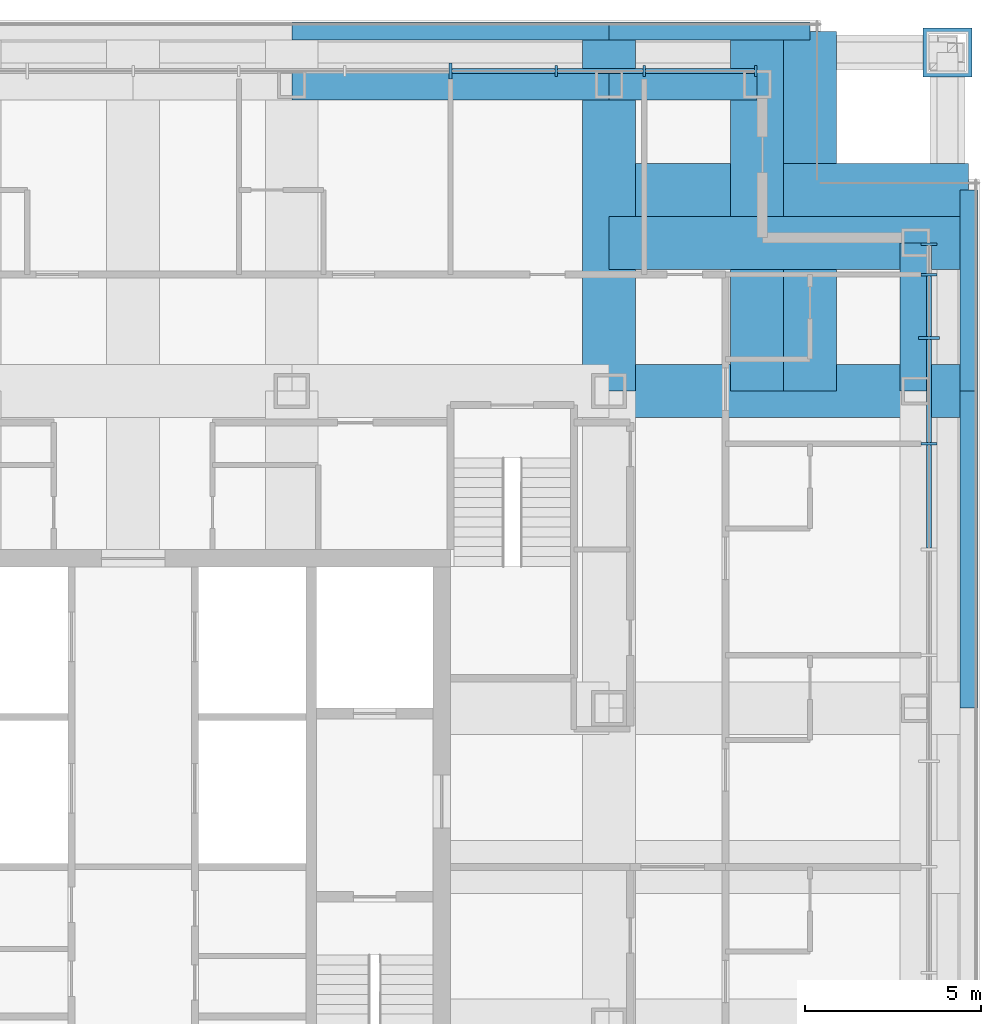
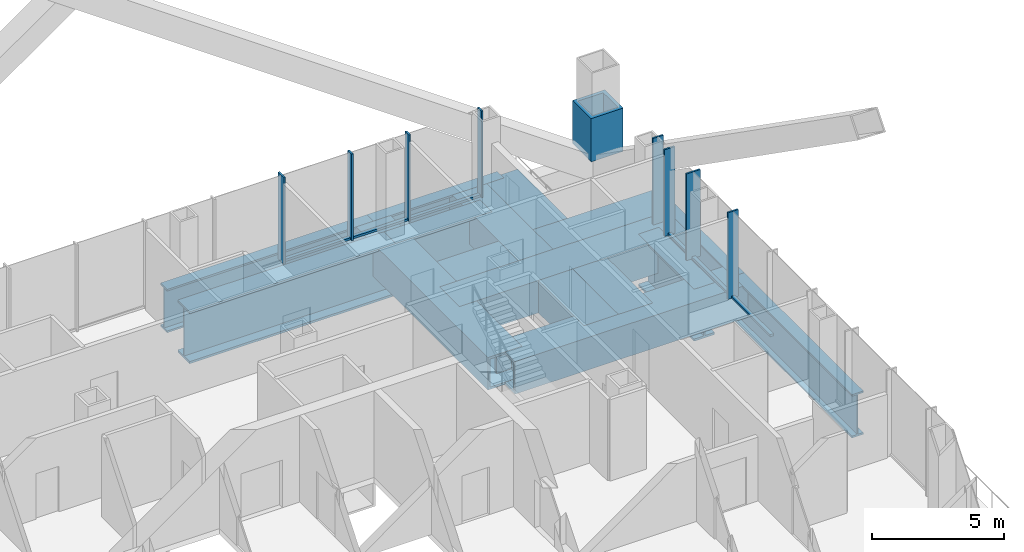
# One storey, part 9 of 18: 15 members, 13 beams, 2 elements without a shape of their own.
"""IFC4 building model written with IfcOpenShell, lengths in metres."""

from ifc_helpers import new_model, si_unit, direction, frame, origin, origin_2d, place, context, subcontext, project, spatial, rectangle, hollow_rectangle, i_section, extrude, material, layer, layer_set, material_profile, profile_set, type_object, element, aggregate, save


model = new_model("IFC4")

# Units and contexts
model_context = context("Model", 3, precision=1e-05, world=origin(), true_north=direction((0.0, 1.0)))
body_context = subcontext(model_context, "Body", "Model", "MODEL_VIEW")
ifc_project = project(units=[si_unit("LENGTHUNIT", "METRE"), si_unit("AREAUNIT", "SQUARE_METRE"), si_unit("VOLUMEUNIT", "CUBIC_METRE"), si_unit("PLANEANGLEUNIT", "RADIAN"), si_unit("MASSUNIT", "GRAM", prefix="KILO")], contexts=[model_context])

# Site, building, storey
site_placement = place(None, origin())
site = spatial("IfcSite", under=ifc_project, at=site_placement, CompositionType="ELEMENT")
building_placement = place(site_placement, origin())
building = spatial("IfcBuilding", under=site, at=building_placement, Name="Malebo Sky Hospital", CompositionType="ELEMENT")
storey_placement = place(building_placement, frame((0.0, 0.0, 177.0)))
storey = spatial("IfcBuildingStorey", under=building, at=storey_placement, Name="L42", CompositionType="ELEMENT", Elevation=177.0)

# Curtain wall, members
ifc_material_1 = material(Name="Anodised aluminium, natural silver", Category="aluminium")
ifc_layer_1 = layer(ifc_material_1, 0.25)
ifc_layer_set_1 = layer_set([ifc_layer_1], Name="WARD CURTAIN WALL NORTH AND SOUTH")
curtain_wall_type_1 = type_object("IfcCurtainWallType", Name="WARD CURTAIN WALL NORTH AND SOUTH", PredefinedType="NOTDEFINED", material=ifc_layer_set_1)
curtain_wall_1_placement = place(storey_placement, origin())
curtain_wall_1 = element("IfcCurtainWall", 1, at=curtain_wall_1_placement, inside=storey, type_object=curtain_wall_type_1, Name="NS curtain wall N", PredefinedType="NOTDEFINED")
ifc_material_profile_1 = material_profile(ifc_material_1, rectangle(XDim=0.14990234375, YDim=0.10009765625, at=origin_2d()), Name="ALUMINIUM TRANSOM 150x100")
ifc_profile_set_1 = profile_set([ifc_material_profile_1], Name="Anodised aluminium, natural silver")
member_type_1 = type_object("IfcMemberType", Name="ALUMINIUM TRANSOM 150x100", PredefinedType="USERDEFINED", material=ifc_profile_set_1)
member_1_placement = place(storey_placement, frame((69.03759765625, 84.574951171875, 0.050048828125), z_axis=(1.0, 0.0, 0.0), x_axis=(0.0, 1.0, 0.0)))
member_1 = element("IfcMember", 2, at=member_1_placement, type_object=member_type_1, Name="Transom 11", ObjectType="TRANSOM", PredefinedType="USERDEFINED", context=body_context, shape_type="SweptSolid", body=[
    extrude(rectangle(XDim=0.14990234375, YDim=0.10009765625, at=origin_2d()), origin(), (0.0, 0.0, 1.0), 2.9248046875),
])
member_2_placement = place(storey_placement, frame((72.03759765625, 84.574951171875, 0.050048828125), z_axis=(1.0, 0.0, 0.0), x_axis=(0.0, 1.0, 0.0)))
member_2 = element("IfcMember", 3, at=member_2_placement, type_object=member_type_1, Name="Transom 12", ObjectType="TRANSOM", PredefinedType="USERDEFINED", context=body_context, shape_type="SweptSolid", body=[
    extrude(rectangle(XDim=0.14990234375, YDim=0.10009765625, at=origin_2d()), origin(), (0.0, 0.0, 1.0), 2.4248046875),
])
member_3_placement = place(storey_placement, frame((74.53759765625, 84.574951171875, 0.050048828125), z_axis=(1.0, 0.0, 0.0), x_axis=(0.0, 1.0, 0.0)))
member_3 = element("IfcMember", 4, at=member_3_placement, type_object=member_type_1, Name="Transom 13", ObjectType="TRANSOM", PredefinedType="USERDEFINED", context=body_context, shape_type="SweptSolid", body=[
    extrude(rectangle(XDim=0.14990234375, YDim=0.10009765625, at=origin_2d()), origin(), (0.0, 0.0, 1.0), 3.08740234375),
])

ifc_layer_2 = layer(ifc_material_1, 0.25)
ifc_layer_set_2 = layer_set([ifc_layer_2], Name="WARD CURTAIN WALL EAST AND WEST")
curtain_wall_type_2 = type_object("IfcCurtainWallType", Name="WARD CURTAIN WALL EAST AND WEST", PredefinedType="NOTDEFINED", material=ifc_layer_set_2)
curtain_wall_2_placement = place(storey_placement, origin())
curtain_wall_2 = element("IfcCurtainWall", 5, at=curtain_wall_2_placement, inside=storey, type_object=curtain_wall_type_2, Name="EW curtain wall E", PredefinedType="NOTDEFINED")
member_4_placement = place(storey_placement, frame((82.574951171875, 78.762451171875, 0.050048828125), z_axis=(0.0, -1.0, 0.0), x_axis=(1.0, 0.0, 0.0)))
member_4 = element("IfcMember", 6, at=member_4_placement, type_object=member_type_1, Name="Transom 2", ObjectType="TRANSOM", PredefinedType="USERDEFINED", context=body_context, shape_type="SweptSolid", body=[
    extrude(rectangle(XDim=0.14990234375, YDim=0.10009765625, at=origin_2d()), origin(), (0.0, 0.0, 1.0), 1.724853515625),
])
member_5_placement = place(storey_placement, frame((82.574951171875, 76.96240234375, 0.050048828125), z_axis=(0.0, -1.0, 0.0), x_axis=(1.0, 0.0, 0.0)))
member_5 = element("IfcMember", 7, at=member_5_placement, type_object=member_type_1, Name="Transom 3", ObjectType="TRANSOM", PredefinedType="USERDEFINED", context=body_context, shape_type="SweptSolid", body=[
    extrude(rectangle(XDim=0.14990234375, YDim=0.10009765625, at=origin_2d()), origin(), (0.0, 0.0, 1.0), 2.9248046875),
])
member_6_placement = place(storey_placement, frame((82.574951171875, 73.96240234375, 0.050048828125), z_axis=(0.0, -1.0, 0.0), x_axis=(1.0, 0.0, 0.0)))
member_6 = element("IfcMember", 8, at=member_6_placement, type_object=member_type_1, Name="Transom 4", ObjectType="TRANSOM", PredefinedType="USERDEFINED", context=body_context, shape_type="SweptSolid", body=[
    extrude(rectangle(XDim=0.14990234375, YDim=0.10009765625, at=origin_2d()), origin(), (0.0, 0.0, 1.0), 2.9248046875),
])

# Member
ifc_material_profile_2 = material_profile(ifc_material_1, rectangle(XDim=0.074951171875, YDim=0.300048828125, at=origin_2d()), Name="CW1 ALUMINIUM FIN MULLION 75x300")
ifc_profile_set_2 = profile_set([ifc_material_profile_2], Name="Anodised aluminium, natural silver")
member_type_2 = type_object("IfcMemberType", Name="CW1 ALUMINIUM FIN MULLION 75x300", PredefinedType="MULLION", material=ifc_profile_set_2)
member_7_placement = place(storey_placement, frame((72.0, 84.574951171875, 0.0), z_axis=(0.0, 0.0, 1.0), x_axis=(1.0, 0.0, 0.0)))
member_7 = element("IfcMember", 9, at=member_7_placement, type_object=member_type_2, Name="Fin mullion 12", PredefinedType="MULLION", context=body_context, shape_type="SweptSolid", body=[
    extrude(rectangle(XDim=0.074951171875, YDim=0.300048828125, at=origin_2d()), origin(), (0.0, 0.0, 1.0), 4.0),
])

member_8_placement = place(storey_placement, frame((74.5, 84.574951171875, 0.0), z_axis=(0.0, 0.0, 1.0), x_axis=(1.0, 0.0, 0.0)))
member_8 = element("IfcMember", 10, at=member_8_placement, type_object=member_type_2, Name="Fin mullion 13", PredefinedType="MULLION", context=body_context, shape_type="SweptSolid", body=[
    extrude(rectangle(XDim=0.074951171875, YDim=0.300048828125, at=origin_2d()), origin(), (0.0, 0.0, 1.0), 4.0),
])

member_9_placement = place(storey_placement, frame((77.66259765625, 84.574951171875, 0.0), z_axis=(0.0, 0.0, 1.0), x_axis=(1.0, 0.0, 0.0)))
member_9 = element("IfcMember", 11, at=member_9_placement, type_object=member_type_2, Name="Fin mullion 14", PredefinedType="MULLION", context=body_context, shape_type="SweptSolid", body=[
    extrude(rectangle(XDim=0.074951171875, YDim=0.300048828125, at=origin_2d()), origin(), (0.0, 0.0, 1.0), 4.0),
])

ifc_material_profile_3 = material_profile(ifc_material_1, rectangle(XDim=0.074951171875, YDim=0.449951171875, at=origin_2d()), Name="CW1 ALUMINIUM FIN MULLION 75x450")
ifc_profile_set_3 = profile_set([ifc_material_profile_3], Name="Anodised aluminium, natural silver")
member_type_3 = type_object("IfcMemberType", Name="CW1 ALUMINIUM FIN MULLION 75x450", PredefinedType="MULLION", material=ifc_profile_set_3)
member_10_placement = place(storey_placement, frame((69.0, 84.574951171875, 0.0), z_axis=(0.0, 0.0, 1.0), x_axis=(1.0, 0.0, 0.0)))
member_10 = element("IfcMember", 12, at=member_10_placement, type_object=member_type_3, Name="Fin mullion 11", PredefinedType="MULLION", context=body_context, shape_type="SweptSolid", body=[
    extrude(rectangle(XDim=0.074951171875, YDim=0.449951171875, at=origin_2d()), origin(), (0.0, 0.0, 1.0), 4.0),
])

aggregate(curtain_wall_1, [member_10, member_7, member_8, member_9, member_1, member_2, member_3])

ifc_material_profile_4 = material_profile(ifc_material_1, rectangle(XDim=0.074951171875, YDim=0.449951171875, at=origin_2d()), Name="CW2 ALUMINIUM FIN MULLION 75x450")
ifc_profile_set_4 = profile_set([ifc_material_profile_4], Name="Anodised aluminium, natural silver")
member_type_4 = type_object("IfcMemberType", Name="CW2 ALUMINIUM FIN MULLION 75x450", PredefinedType="MULLION", material=ifc_profile_set_4)
member_11_placement = place(storey_placement, frame((82.574951171875, 79.66259765625, 0.0), z_axis=(0.0, 0.0, 1.0), x_axis=(0.0, -1.0, 0.0)))
member_11 = element("IfcMember", 13, at=member_11_placement, type_object=member_type_4, Name="Fin mullion 1", PredefinedType="MULLION", context=body_context, shape_type="SweptSolid", body=[
    extrude(rectangle(XDim=0.074951171875, YDim=0.449951171875, at=origin_2d()), origin(), (0.0, 0.0, 1.0), 4.0),
])

member_12_placement = place(storey_placement, frame((82.574951171875, 78.800048828125, 0.0), z_axis=(0.0, 0.0, 1.0), x_axis=(0.0, -1.0, 0.0)))
member_12 = element("IfcMember", 14, at=member_12_placement, type_object=member_type_4, Name="Fin mullion 2", PredefinedType="MULLION", context=body_context, shape_type="SweptSolid", body=[
    extrude(rectangle(XDim=0.074951171875, YDim=0.449951171875, at=origin_2d()), origin(), (0.0, 0.0, 1.0), 4.0),
])

member_13_placement = place(storey_placement, frame((82.574951171875, 74.0, 0.0), z_axis=(0.0, 0.0, 1.0), x_axis=(0.0, -1.0, 0.0)))
member_13 = element("IfcMember", 15, at=member_13_placement, type_object=member_type_4, Name="Fin mullion 4", PredefinedType="MULLION", context=body_context, shape_type="SweptSolid", body=[
    extrude(rectangle(XDim=0.074951171875, YDim=0.449951171875, at=origin_2d()), origin(), (0.0, 0.0, 1.0), 4.0),
])

ifc_material_profile_5 = material_profile(ifc_material_1, rectangle(XDim=0.074951171875, YDim=0.60009765625, at=origin_2d()), Name="CW2 ALUMINIUM FIN MULLION 75x600")
ifc_profile_set_5 = profile_set([ifc_material_profile_5], Name="Anodised aluminium, natural silver")
member_type_5 = type_object("IfcMemberType", Name="CW2 ALUMINIUM FIN MULLION 75x600", PredefinedType="MULLION", material=ifc_profile_set_5)
member_14_placement = place(storey_placement, frame((82.574951171875, 77.0, 0.0), z_axis=(0.0, 0.0, 1.0), x_axis=(0.0, -1.0, 0.0)))
member_14 = element("IfcMember", 16, at=member_14_placement, type_object=member_type_5, Name="Fin mullion 3", PredefinedType="MULLION", context=body_context, shape_type="SweptSolid", body=[
    extrude(rectangle(XDim=0.074951171875, YDim=0.60009765625, at=origin_2d()), origin(), (0.0, 0.0, 1.0), 4.0),
])

aggregate(curtain_wall_2, [member_11, member_12, member_14, member_13, member_4, member_5, member_6])

ifc_material_2 = material(Name="Steel S460", Category="steel")
ifc_material_profile_6 = material_profile(ifc_material_2, hollow_rectangle(XDim=1.39990234375, YDim=1.39990234375, WallThickness=0.14990234375, at=origin_2d()), Name="BOX 1400x1400x150")
ifc_profile_set_6 = profile_set([ifc_material_profile_6], Name="Steel S460")
member_type_6 = type_object("IfcMemberType", Name="MEGA COLUMN NODE BOX 1400x1400x150", PredefinedType="MEMBER", material=ifc_profile_set_6)
member_15_placement = place(storey_placement, frame((83.10009765625, 85.10009765625, 0.0), z_axis=(0.0, 0.0, 1.0), x_axis=(1.0, 0.0, 0.0)))
element("IfcMember", 17, at=member_15_placement, inside=storey, type_object=member_type_6, Name="Mega column node NE L42", PredefinedType="MEMBER", context=body_context, shape_type="SweptSolid", body=[
    extrude(hollow_rectangle(XDim=1.39990234375, YDim=1.39990234375, WallThickness=0.14990234375, at=origin_2d()), origin(), (0.0, 0.0, 1.0), 2.0),
])

# Beams
ifc_material_profile_7 = material_profile(ifc_material_2, hollow_rectangle(XDim=1.5, YDim=1.5, WallThickness=0.10009765625, at=origin_2d()), Name="BOX 1500x1500x100")
ifc_profile_set_7 = profile_set([ifc_material_profile_7], Name="Steel S460")
beam_type_1 = type_object("IfcBeamType", Name="TRANSFER GIRDER BOX 1500x1500x100", PredefinedType="BEAM", material=ifc_profile_set_7)
for number, where, z_axis, x_axis, name in (
    (18, (73.5, 75.5, -1.0), (0.0, 1.0, 0.0), (-1.0, 0.0, 0.0), "Beam 029 L42"),
    (19, (73.5, 75.5, -1.0), (1.0, 0.0, 0.0), (0.0, 1.0, 0.0), "Beam 069 L42"),
    (20, (77.699951171875, 75.5, -1.0), (0.0, 1.0, 0.0), (-1.0, 0.0, 0.0), "Beam 031 L42"),
    (21, (79.199951171875, 75.5, -1.0), (0.0, 1.0, 0.0), (-1.0, 0.0, 0.0), "Beam 033 L42"),
    (22, (73.5, 79.699951171875, -1.0), (1.0, 0.0, 0.0), (0.0, 1.0, 0.0), "Beam 071 L42"),
    (23, (73.5, 81.199951171875, -1.0), (1.0, 0.0, 0.0), (0.0, 1.0, 0.0), "Beam 073 L42"),
):
    element("IfcBeam", number, at=place(storey_placement, frame(where, z_axis=z_axis, x_axis=x_axis)), inside=storey, type_object=beam_type_1, Name=name, PredefinedType="BEAM", context=body_context, shape_type="SweptSolid", body=[
        extrude(hollow_rectangle(XDim=1.5, YDim=1.5, WallThickness=0.10009765625, at=origin_2d()), origin(), (0.0, 0.0, 1.0), 10.199951171875),
    ])
ifc_material_3 = material(Name="Steel S355", Category="steel")
ifc_material_profile_8 = material_profile(ifc_material_3, i_section(OverallWidth=0.5, OverallDepth=2.0, WebThickness=0.0400390625, FlangeThickness=0.080078125, at=origin_2d()), Name="PG 2000x500x40x80")
ifc_profile_set_8 = profile_set([ifc_material_profile_8], Name="Steel S355")
beam_type_2 = type_object("IfcBeamType", Name="TRANSFER GIRDER PG 2000x500x40x80", PredefinedType="BEAM", material=ifc_profile_set_8)
beam_1_placement = place(storey_placement, frame((83.699951171875, 66.5, -1.25), z_axis=(0.0, 1.0, 0.0), x_axis=(-1.0, 0.0, 0.0)))
element("IfcBeam", 24, at=beam_1_placement, inside=storey, type_object=beam_type_2, Name="Beam 038 L42", PredefinedType="BEAM", context=body_context, shape_type="SweptSolid", body=[
    extrude(i_section(OverallWidth=0.5, OverallDepth=2.0, WebThickness=0.0400390625, FlangeThickness=0.080078125, at=origin_2d()), origin(), (0.0, 0.0, 1.0), 9.0),
])
beam_2_placement = place(storey_placement, frame((83.699951171875, 75.5, -1.25), z_axis=(0.0, 1.0, 0.0), x_axis=(-1.0, 0.0, 0.0)))
element("IfcBeam", 25, at=beam_2_placement, inside=storey, type_object=beam_type_2, Name="Beam 039 L42", PredefinedType="BEAM", context=body_context, shape_type="SweptSolid", body=[
    extrude(i_section(OverallWidth=0.5, OverallDepth=2.0, WebThickness=0.0400390625, FlangeThickness=0.080078125, at=origin_2d()), origin(), (0.0, 0.0, 1.0), 5.699951171875),
])
beam_3_placement = place(storey_placement, frame((64.5, 85.699951171875, -1.25), z_axis=(1.0, 0.0, 0.0), x_axis=(0.0, 1.0, 0.0)))
element("IfcBeam", 26, at=beam_3_placement, inside=storey, type_object=beam_type_2, Name="Beam 078 L42", PredefinedType="BEAM", context=body_context, shape_type="SweptSolid", body=[
    extrude(i_section(OverallWidth=0.5, OverallDepth=2.0, WebThickness=0.0400390625, FlangeThickness=0.080078125, at=origin_2d()), origin(), (0.0, 0.0, 1.0), 9.0),
])
beam_4_placement = place(storey_placement, frame((73.5, 85.699951171875, -1.25), z_axis=(1.0, 0.0, 0.0), x_axis=(0.0, 1.0, 0.0)))
element("IfcBeam", 27, at=beam_4_placement, inside=storey, type_object=beam_type_2, Name="Beam 079 L42", PredefinedType="BEAM", context=body_context, shape_type="SweptSolid", body=[
    extrude(i_section(OverallWidth=0.5, OverallDepth=2.0, WebThickness=0.0400390625, FlangeThickness=0.080078125, at=origin_2d()), origin(), (0.0, 0.0, 1.0), 5.699951171875),
])
ifc_material_profile_9 = material_profile(ifc_material_3, i_section(OverallWidth=0.89990234375, OverallDepth=2.39990234375, WebThickness=0.050048828125, FlangeThickness=0.10009765625, at=origin_2d()), Name="PG 2400x900x50x100")
ifc_profile_set_9 = profile_set([ifc_material_profile_9], Name="Steel S355")
beam_type_3 = type_object("IfcBeamType", Name="TRANSFER GIRDER PG 2400x900x50x100", PredefinedType="BEAM", material=ifc_profile_set_9)
beam_5_placement = place(storey_placement, frame((82.199951171875, 75.5, -1.449951171875), z_axis=(0.0, 1.0, 0.0), x_axis=(-1.0, 0.0, 0.0)))
element("IfcBeam", 28, at=beam_5_placement, inside=storey, type_object=beam_type_3, Name="Beam 034f L42", PredefinedType="BEAM", context=body_context, shape_type="SweptSolid", body=[
    extrude(i_section(OverallWidth=0.89990234375, OverallDepth=2.39990234375, WebThickness=0.050048828125, FlangeThickness=0.10009765625, at=origin_2d()), origin(), (0.0, 0.0, 1.0), 4.199951171875),
])
beam_6_placement = place(storey_placement, frame((64.5, 84.199951171875, -1.449951171875), z_axis=(1.0, 0.0, 0.0), x_axis=(0.0, 1.0, 0.0)))
element("IfcBeam", 29, at=beam_6_placement, inside=storey, type_object=beam_type_3, Name="Beam 074e L42", PredefinedType="BEAM", context=body_context, shape_type="SweptSolid", body=[
    extrude(i_section(OverallWidth=0.89990234375, OverallDepth=2.39990234375, WebThickness=0.050048828125, FlangeThickness=0.10009765625, at=origin_2d()), origin(), (0.0, 0.0, 1.0), 9.0),
])
beam_7_placement = place(storey_placement, frame((73.5, 84.199951171875, -1.449951171875), z_axis=(1.0, 0.0, 0.0), x_axis=(0.0, 1.0, 0.0)))
element("IfcBeam", 30, at=beam_7_placement, inside=storey, type_object=beam_type_3, Name="Beam 074f L42", PredefinedType="BEAM", context=body_context, shape_type="SweptSolid", body=[
    extrude(i_section(OverallWidth=0.89990234375, OverallDepth=2.39990234375, WebThickness=0.050048828125, FlangeThickness=0.10009765625, at=origin_2d()), origin(), (0.0, 0.0, 1.0), 4.199951171875),
])

save(model, "model.ifc")
